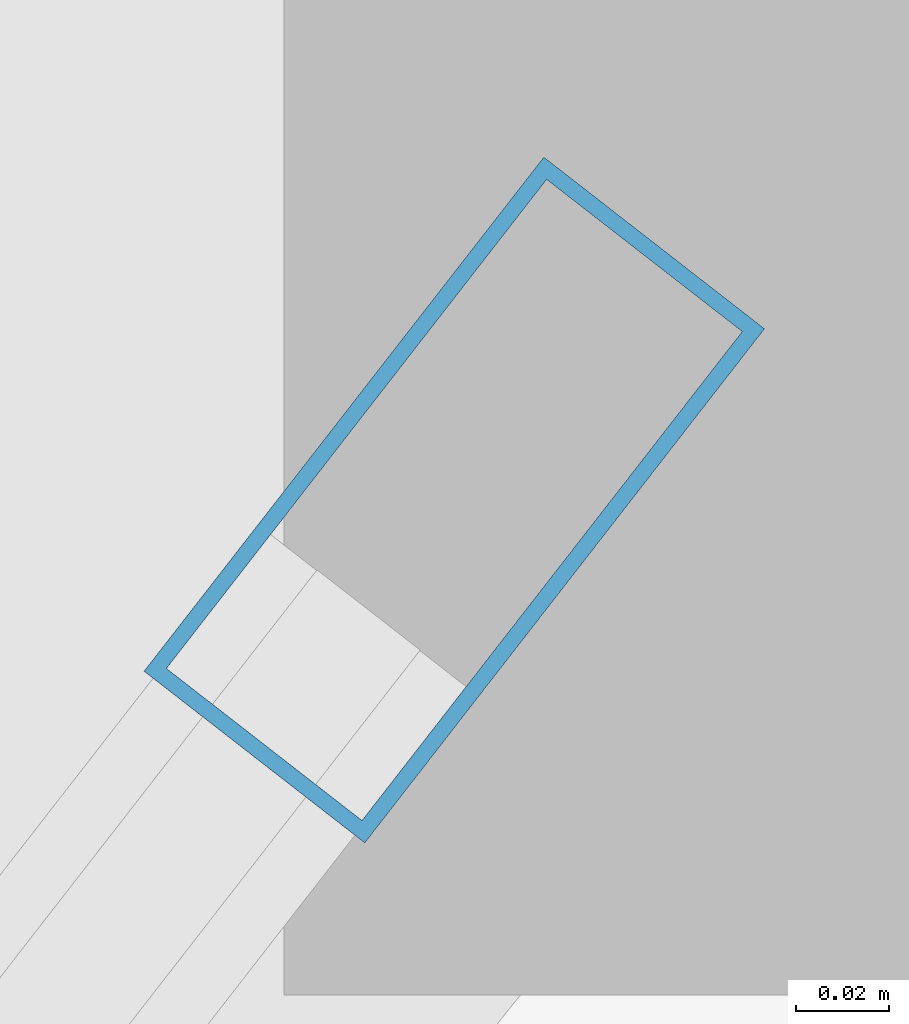
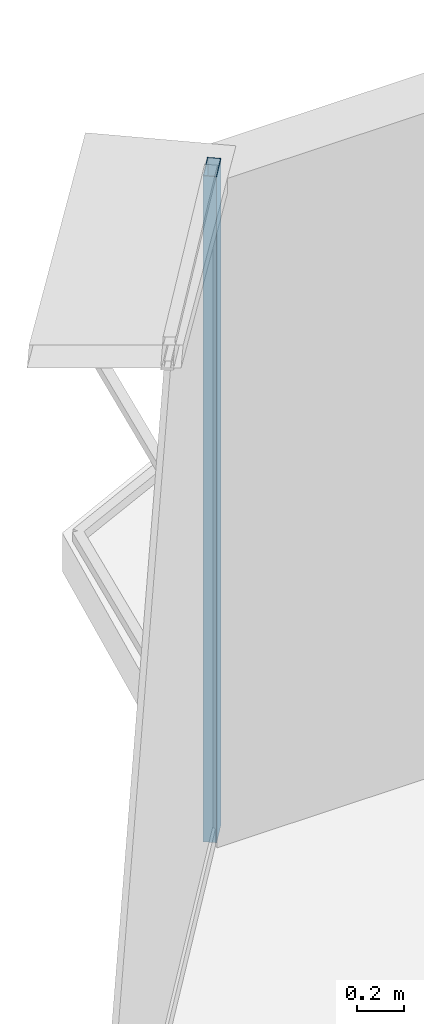
# One storey, part 23 of 35: 1 member, 1 element without a shape of its own.
"""IFC4 building model written with IfcOpenShell, lengths in metres."""

from ifc_helpers import new_model, si_unit, direction, frame, origin, origin_2d, place, context, subcontext, project, spatial, hollow_rectangle, extrude, source, transform, mapped, material, layer, layer_set, material_profile, profile_set, type_object, element, aggregate, save


model = new_model("IFC4")

# Units and contexts
model_context = context("Model", 3, precision=1e-05, world=origin(), true_north=direction((0.0, 1.0)))
body_context = subcontext(model_context, "Body", "Model", "MODEL_VIEW")
ifc_project = project(units=[si_unit("LENGTHUNIT", "METRE"), si_unit("AREAUNIT", "SQUARE_METRE"), si_unit("VOLUMEUNIT", "CUBIC_METRE"), si_unit("PLANEANGLEUNIT", "RADIAN"), si_unit("MASSUNIT", "GRAM", prefix="KILO"), si_unit("THERMODYNAMICTEMPERATUREUNIT", "KELVIN"), si_unit("POWERUNIT", "WATT")], contexts=[model_context])

# Site, building, storey
site_placement = place(None, origin())
site = spatial("IfcSite", under=ifc_project, at=site_placement, CompositionType="ELEMENT")
building_placement = place(site_placement, origin())
building = spatial("IfcBuilding", under=site, at=building_placement, Name="Yunzhuo Pagoda Commons", CompositionType="ELEMENT")
storey_placement = place(building_placement, frame((0.0, 0.0, 303.669921875)))
storey = spatial("IfcBuildingStorey", under=building, at=storey_placement, Name="L76", CompositionType="ELEMENT", Elevation=303.669921875)

# Curtain wall, member
ifc_material = material(Name="Anodized aluminium 6063-T6", Category="aluminium")
ifc_layer = layer(ifc_material, 0.139892578125)
ifc_layer_set = layer_set([ifc_layer], Name="Anodized aluminium 6063-T6")
curtain_wall_type = type_object("IfcCurtainWallType", Name="CW-HI High-Zone Ribbon Curtain Wall", PredefinedType="NOTDEFINED", material=ifc_layer_set)
curtain_wall_placement = place(storey_placement, origin())
curtain_wall = element("IfcCurtainWall", 1, at=curtain_wall_placement, inside=storey, type_object=curtain_wall_type, Name="L76 curtain wall CW-L76-F3B1", PredefinedType="NOTDEFINED")
ifc_material_profile = material_profile(ifc_material, hollow_rectangle(XDim=0.06005859375, YDim=0.139892578125, WallThickness=0.00341796875, at=origin_2d()), Name="Anodized aluminium 6063-T6")
ifc_profile_set = profile_set([ifc_material_profile], Name="Anodized aluminium 6063-T6")
member_type = type_object("IfcMemberType", Name="CW-HI-M Mullion RHS 140x60x3.5", PredefinedType="MULLION", material=ifc_profile_set)
shared_shape = source(origin(), body_context, "Body", "SweptSolid", [
    extrude(hollow_rectangle(XDim=0.06005859375, YDim=0.139892578125, WallThickness=0.00341796875, at=origin_2d()), origin(), (0.0, 0.0, 1.0), 3.469970703125),
])
member_placement = place(storey_placement, frame((44.598876953125, 74.764404296875, 0.0), z_axis=(0.0, 0.0, 1.0), x_axis=(0.78943032712, -0.613840173517, 0.0)))
member = element("IfcMember", 2, at=member_placement, type_object=member_type, Name="CW mullion 1", PredefinedType="MULLION", context=body_context, shape_type="MappedRepresentation", body=[
    mapped(shared_shape, transform((0.0, 0.0, 0.0), scale=1.0)),
])
aggregate(curtain_wall, [member])

save(model, "model.ifc")
